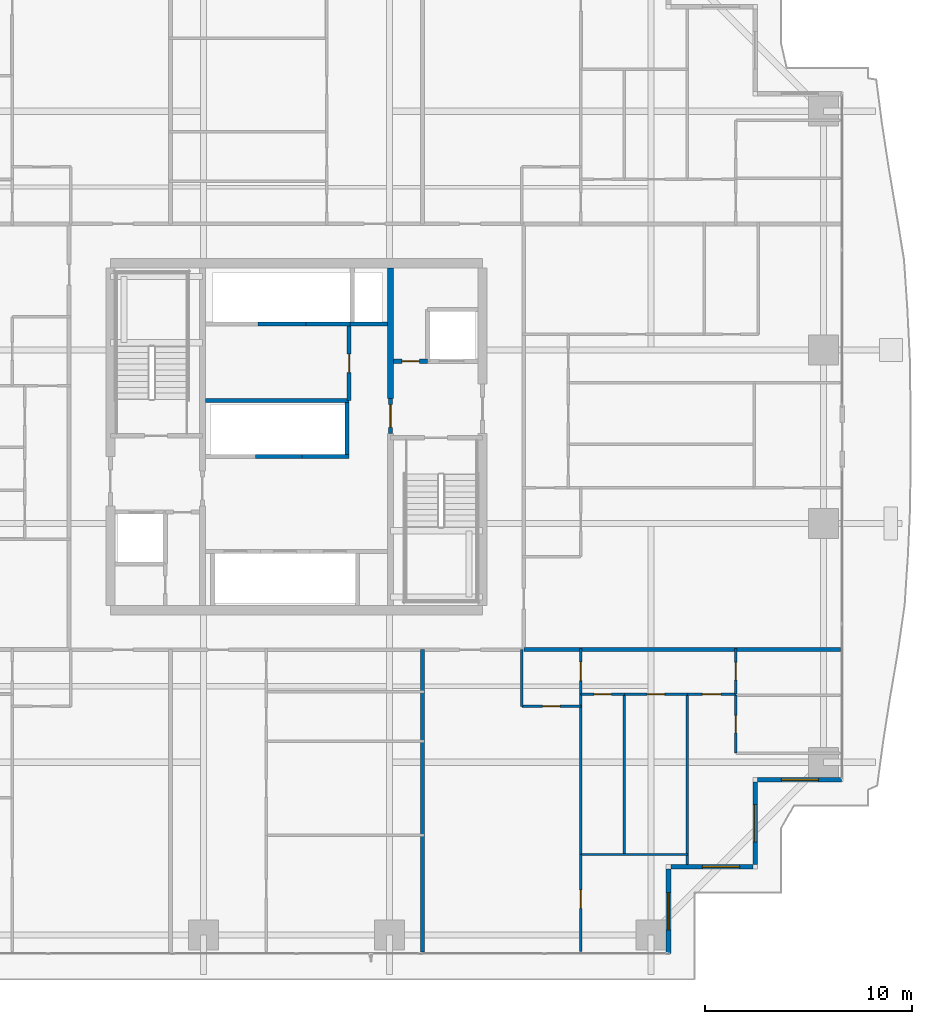
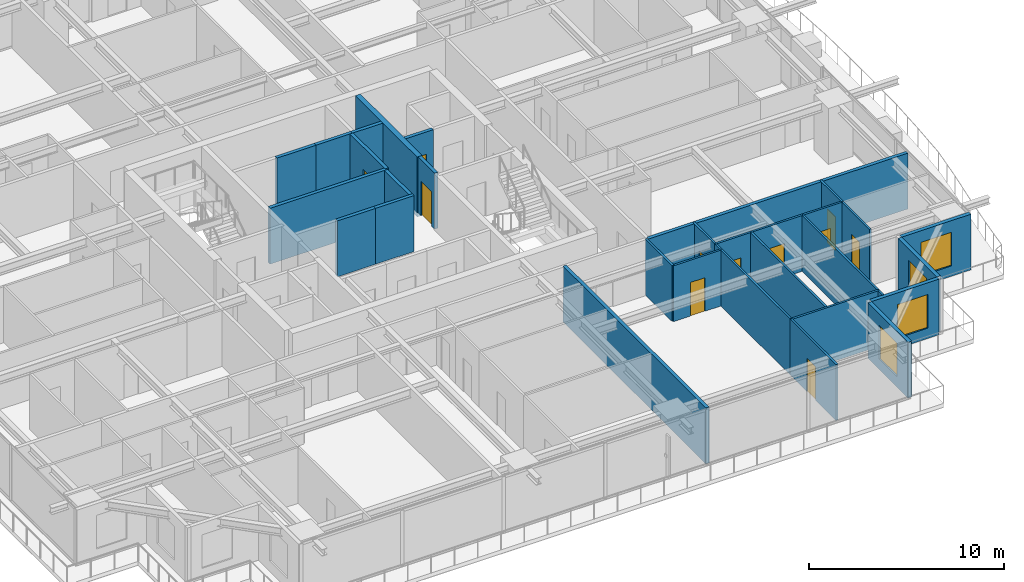
# One storey, part 28 of 38: 30 walls, 11 doors, 4 windows, 15 openings.
"""IFC4 building model written with IfcOpenShell, lengths in metres."""

from ifc_helpers import new_model, si_unit, direction, frame, frame_2d, origin, place, context, subcontext, project, spatial, rectangle, extrude, source, transform, mapped, material, layer, layer_set, type_object, element, fill, save


model = new_model("IFC4")

# Units and contexts
model_context = context("Model", 3, precision=1e-05, world=origin(), true_north=direction((0.0, 1.0)))
body_context = subcontext(model_context, "Body", "Model", "MODEL_VIEW")
ifc_project = project(units=[si_unit("LENGTHUNIT", "METRE"), si_unit("AREAUNIT", "SQUARE_METRE"), si_unit("VOLUMEUNIT", "CUBIC_METRE"), si_unit("PLANEANGLEUNIT", "RADIAN"), si_unit("MASSUNIT", "GRAM", prefix="KILO")], contexts=[model_context])

# Site, building, storey
site_placement = place(None, origin())
site = spatial("IfcSite", under=ifc_project, at=site_placement, CompositionType="ELEMENT")
building_placement = place(site_placement, origin())
building = spatial("IfcBuilding", under=site, at=building_placement, Name="Serunith Strait Residences", CompositionType="ELEMENT")
storey_placement = place(building_placement, frame((0.0, 0.0, 30.449951171875)))
storey = spatial("IfcBuildingStorey", under=building, at=storey_placement, Name="L06", CompositionType="ELEMENT", Elevation=30.449951171875)

# Wall, opening, window
ifc_material_1 = material(Name="Pale-Champagne Aluminium Insulated Panel", Category="aluminium")
ifc_layer_1 = layer(ifc_material_1, 0.219970703125, Name="Pale-Champagne Aluminium Insulated Panel")
ifc_layer_set_1 = layer_set([ifc_layer_1], Name="Pale-Champagne Aluminium Insulated Panel")
wall_type_1 = type_object("IfcWallType", Name="EW-ALUM-220", PredefinedType="ELEMENTEDWALL", material=ifc_layer_set_1)
wall_1_placement = place(storey_placement, frame((50.39990234375, 0.199951171875, 0.0), z_axis=(0.0, 0.0, 1.0), x_axis=(0.0, 1.0, 0.0)))
wall_1 = element("IfcWall", 1, at=wall_1_placement, inside=storey, type_object=wall_type_1, Name="L06 Girih Serrated Corner Wall 02", PredefinedType="ELEMENTEDWALL", context=body_context, shape_type="SweptSolid", body=[
    extrude(rectangle(XDim=4.090087890625, YDim=0.219970703125, at=frame_2d((2.044921875, 0.0))), origin(), (0.0, 0.0, 1.0), 3.47509765625),
])
opening_1_placement = place(wall_1_placement, frame((1.14501953125, 0.0, 0.64990234375)))
opening_1 = element("IfcOpeningElement", 2, at=opening_1_placement, cuts=wall_1, Name="Opening W-01", PredefinedType="OPENING", context=body_context, shape_type="SweptSolid", body=[
    extrude(rectangle(XDim=1.800048828125, YDim=2.10009765625, at=frame_2d((0.89990234375, 1.050048828125))), frame((0.0, 0.1201171875, 0.0), z_axis=(0.0, -1.0, 0.0), x_axis=(1.0, 0.0, 0.0)), (0.0, 0.0, 1.0), 0.239990234375),
])
ifc_material_2 = material(Name="Ceramic-Fritted Operable Aluminium Window Glass", Category="aluminium")
window_type = type_object("IfcWindowType", Name="WIN-C1", PartitioningType="DOUBLE_PANEL_VERTICAL", PredefinedType="WINDOW", material=ifc_material_2)
shared_shape_1 = source(origin(), body_context, "Body", "SweptSolid", [
    extrude(rectangle(XDim=1.800048828125, YDim=2.10009765625, at=frame_2d((0.89990234375, 1.050048828125))), frame((0.0, 0.030029296875, 0.0), z_axis=(0.0, -1.0, 0.0), x_axis=(1.0, 0.0, 0.0)), (0.0, 0.0, 1.0), 0.06005859375),
])
window_1_placement = place(opening_1_placement, origin())
window_1 = element("IfcWindow", 3, at=window_1_placement, inside=storey, type_object=window_type, Name="L06 Corner Operable Fritted Window 02", OverallHeight=2.10009765625, OverallWidth=1.800048828125, PartitioningType="SINGLE_PANEL", PredefinedType="WINDOW", context=body_context, shape_type="MappedRepresentation", body=[
    mapped(shared_shape_1, transform((0.0, 0.0, 0.0), scale=1.0)),
])
fill(opening_1, window_1)

wall_2_placement = place(storey_placement, frame((50.510009765625, 4.39990234375, 0.0), z_axis=(0.0, 0.0, 1.0), x_axis=(1.0, 0.0, 0.0)))
wall_2 = element("IfcWall", 4, at=wall_2_placement, inside=storey, type_object=wall_type_1, Name="L06 Girih Serrated Corner Wall 03", PredefinedType="ELEMENTEDWALL", context=body_context, shape_type="SweptSolid", body=[
    extrude(rectangle(XDim=3.97998046875, YDim=0.219970703125, at=frame_2d((1.989990234375, 0.0))), origin(), (0.0, 0.0, 1.0), 3.47509765625),
])
opening_2_placement = place(wall_2_placement, frame((1.52587890625, 0.0, 0.64990234375)))
opening_2 = element("IfcOpeningElement", 5, at=opening_2_placement, cuts=wall_2, Name="Opening W-01", PredefinedType="OPENING", context=body_context, shape_type="SweptSolid", body=[
    extrude(rectangle(XDim=1.800048828125, YDim=2.10009765625, at=frame_2d((0.89990234375, 1.050048828125))), frame((0.0, 0.1201171875, 0.0), z_axis=(0.0, -1.0, 0.0), x_axis=(1.0, 0.0, 0.0)), (0.0, 0.0, 1.0), 0.239990234375),
])
window_2_placement = place(opening_2_placement, origin())
window_2 = element("IfcWindow", 6, at=window_2_placement, inside=storey, type_object=window_type, Name="L06 Corner Operable Fritted Window 03", OverallHeight=2.10009765625, OverallWidth=1.800048828125, PartitioningType="SINGLE_PANEL", PredefinedType="WINDOW", context=body_context, shape_type="MappedRepresentation", body=[
    mapped(shared_shape_1, transform((0.0, 0.0, 0.0), scale=1.0)),
])
fill(opening_2, window_2)

wall_3_placement = place(storey_placement, frame((54.60009765625, 4.510009765625, 0.0), z_axis=(0.0, 0.0, 1.0), x_axis=(0.0, 1.0, 0.0)))
wall_3 = element("IfcWall", 7, at=wall_3_placement, inside=storey, type_object=wall_type_1, Name="L06 Girih Serrated Corner Wall 04", PredefinedType="ELEMENTEDWALL", context=body_context, shape_type="SweptSolid", body=[
    extrude(rectangle(XDim=3.97998046875, YDim=0.219970703125, at=frame_2d((1.989990234375, 0.0))), origin(), (0.0, 0.0, 1.0), 3.47509765625),
])
opening_3_placement = place(wall_3_placement, frame((1.090087890625, 0.0, 0.64990234375)))
opening_3 = element("IfcOpeningElement", 8, at=opening_3_placement, cuts=wall_3, Name="Opening W-01", PredefinedType="OPENING", context=body_context, shape_type="SweptSolid", body=[
    extrude(rectangle(XDim=1.800048828125, YDim=2.10009765625, at=frame_2d((0.89990234375, 1.050048828125))), frame((0.0, 0.1201171875, 0.0), z_axis=(0.0, -1.0, 0.0), x_axis=(1.0, 0.0, 0.0)), (0.0, 0.0, 1.0), 0.239990234375),
])
window_3_placement = place(opening_3_placement, origin())
window_3 = element("IfcWindow", 9, at=window_3_placement, inside=storey, type_object=window_type, Name="L06 Corner Operable Fritted Window 04", OverallHeight=2.10009765625, OverallWidth=1.800048828125, PartitioningType="SINGLE_PANEL", PredefinedType="WINDOW", context=body_context, shape_type="MappedRepresentation", body=[
    mapped(shared_shape_1, transform((0.0, 0.0, 0.0), scale=1.0)),
])
fill(opening_3, window_3)

wall_4_placement = place(storey_placement, frame((54.7099609375, 8.60009765625, 0.0), z_axis=(0.0, 0.0, 1.0), x_axis=(1.0, 0.0, 0.0)))
wall_4 = element("IfcWall", 10, at=wall_4_placement, inside=storey, type_object=wall_type_1, Name="L06 Girih Serrated Corner Wall 05", PredefinedType="ELEMENTEDWALL", context=body_context, shape_type="SweptSolid", body=[
    extrude(rectangle(XDim=4.090087890625, YDim=0.219970703125, at=frame_2d((2.044921875, 0.0))), origin(), (0.0, 0.0, 1.0), 3.47509765625),
])
opening_4_placement = place(wall_4_placement, frame((1.14501953125, 0.0, 0.64990234375)))
opening_4 = element("IfcOpeningElement", 11, at=opening_4_placement, cuts=wall_4, Name="Opening W-01", PredefinedType="OPENING", context=body_context, shape_type="SweptSolid", body=[
    extrude(rectangle(XDim=1.800048828125, YDim=2.10009765625, at=frame_2d((0.89990234375, 1.050048828125))), frame((0.0, 0.1201171875, 0.0), z_axis=(0.0, -1.0, 0.0), x_axis=(1.0, 0.0, 0.0)), (0.0, 0.0, 1.0), 0.239990234375),
])
window_4_placement = place(opening_4_placement, origin())
window_4 = element("IfcWindow", 12, at=window_4_placement, inside=storey, type_object=window_type, Name="L06 Corner Operable Fritted Window 05", OverallHeight=2.10009765625, OverallWidth=1.800048828125, PartitioningType="SINGLE_PANEL", PredefinedType="WINDOW", context=body_context, shape_type="MappedRepresentation", body=[
    mapped(shared_shape_1, transform((0.0, 0.0, 0.0), scale=1.0)),
])
fill(opening_4, window_4)

# Wall, opening, door
ifc_material_3 = material(Name="Lightweight steel-stud gypsum partition", Category="steel")
ifc_layer_2 = layer(ifc_material_3, 0.1201171875, Name="Lightweight steel-stud gypsum partition")
ifc_layer_set_2 = layer_set([ifc_layer_2], Name="Lightweight steel-stud gypsum partition")
wall_type_2 = type_object("IfcWallType", Name="IW-PART-120", PredefinedType="PARTITIONING", material=ifc_layer_set_2)
wall_5_placement = place(storey_placement, frame((43.31005859375, 12.14990234375, 0.0), z_axis=(0.0, 0.0, 1.0), x_axis=(1.0, 0.0, 0.0)))
wall_5 = element("IfcWall", 13, at=wall_5_placement, inside=storey, type_object=wall_type_2, Name="L06 Partition Wall 048", PredefinedType="PARTITIONING", context=body_context, shape_type="SweptSolid", body=[
    extrude(rectangle(XDim=2.849853515625, YDim=0.1201171875, at=frame_2d((1.4248046875, 0.0))), origin(), (0.0, 0.0, 1.0), 3.489990234375),
])
opening_5_placement = place(wall_5_placement, frame((1.0, 0.0, 0.0)))
opening_5 = element("IfcOpeningElement", 14, at=opening_5_placement, cuts=wall_5, Name="Opening D-RM850", PredefinedType="OPENING", context=body_context, shape_type="SweptSolid", body=[
    extrude(rectangle(XDim=0.85009765625, YDim=2.10009765625, at=frame_2d((0.425048828125, 1.050048828125))), frame((0.0, 0.070068359375, 0.0), z_axis=(0.0, -1.0, 0.0), x_axis=(1.0, 0.0, 0.0)), (0.0, 0.0, 1.0), 0.14013671875),
])
ifc_material_4 = material(Name="Engineered timber flush study and kitchen door", Category="wood")
door_type_1 = type_object("IfcDoorType", Name="ID-ROOM-850", OperationType="NOTDEFINED", PredefinedType="DOOR", material=ifc_material_4)
shared_shape_2 = source(origin(), body_context, "Body", "SweptSolid", [
    extrude(rectangle(XDim=0.85009765625, YDim=2.10009765625, at=frame_2d((0.425048828125, 1.050048828125))), frame((0.0, 0.02490234375, 0.0), z_axis=(0.0, -1.0, 0.0), x_axis=(1.0, 0.0, 0.0)), (0.0, 0.0, 1.0), 0.050048828125),
])
door_1_placement = place(opening_5_placement, origin())
door_1 = element("IfcDoor", 15, at=door_1_placement, inside=storey, type_object=door_type_1, Name="L06 Kitchen 0603 Door", OperationType="SINGLE_SWING_LEFT", OverallHeight=2.10009765625, OverallWidth=0.85009765625, PredefinedType="DOOR", context=body_context, shape_type="MappedRepresentation", body=[
    mapped(shared_shape_2, transform((0.0, 0.0, 0.0), scale=1.0)),
])
fill(opening_5, door_1)

# Wall
wall_6_placement = place(storey_placement, frame((43.31005859375, 12.14990234375, 0.0), z_axis=(0.0, 0.0, 1.0), x_axis=(0.0, 1.0, 0.0)))
element("IfcWall", 16, at=wall_6_placement, inside=storey, type_object=wall_type_2, Name="L06 Partition Wall 049", PredefinedType="PARTITIONING", context=body_context, shape_type="SweptSolid", body=[
    extrude(rectangle(XDim=2.748046875, YDim=0.1201171875, at=frame_2d((1.3740234375, 0.0))), origin(), (0.0, 0.0, 1.0), 3.489990234375),
])

# Wall, opening, door
wall_7_placement = place(storey_placement, frame((46.159912109375, 12.75, 0.0), z_axis=(0.0, 0.0, 1.0), x_axis=(0.0, 1.0, 0.0)))
wall_7 = element("IfcWall", 17, at=wall_7_placement, inside=storey, type_object=wall_type_2, Name="L06 Partition Wall 050", PredefinedType="PARTITIONING", context=body_context, shape_type="SweptSolid", body=[
    extrude(rectangle(XDim=2.2099609375, YDim=0.1201171875, at=frame_2d((1.10498046875, 0.0))), origin(), (0.0, 0.0, 1.0), 3.489990234375),
])
opening_6_placement = place(wall_7_placement, frame((0.655029296875, 0.0, 0.0)))
opening_6 = element("IfcOpeningElement", 18, at=opening_6_placement, cuts=wall_7, Name="Opening D-RM900", PredefinedType="OPENING", context=body_context, shape_type="SweptSolid", body=[
    extrude(rectangle(XDim=0.89990234375, YDim=2.10009765625, at=frame_2d((0.449951171875, 1.050048828125))), frame((0.0, 0.070068359375, 0.0), z_axis=(0.0, -1.0, 0.0), x_axis=(1.0, 0.0, 0.0)), (0.0, 0.0, 1.0), 0.14013671875),
])
ifc_material_5 = material(Name="Engineered timber flush bedroom door", Category="wood")
door_type_2 = type_object("IfcDoorType", Name="ID-ROOM-900", OperationType="NOTDEFINED", PredefinedType="DOOR", material=ifc_material_5)
shared_shape_3 = source(origin(), body_context, "Body", "SweptSolid", [
    extrude(rectangle(XDim=0.89990234375, YDim=2.10009765625, at=frame_2d((0.449951171875, 1.050048828125))), frame((0.0, 0.02490234375, 0.0), z_axis=(0.0, -1.0, 0.0), x_axis=(1.0, 0.0, 0.0)), (0.0, 0.0, 1.0), 0.050048828125),
])
door_2_placement = place(opening_6_placement, origin())
door_2 = element("IfcDoor", 19, at=door_2_placement, inside=storey, type_object=door_type_2, Name="L06 Hall E 0603 Door", OperationType="SINGLE_SWING_RIGHT", OverallHeight=2.10009765625, OverallWidth=0.89990234375, PredefinedType="DOOR", context=body_context, shape_type="MappedRepresentation", body=[
    mapped(shared_shape_3, transform((0.0, 0.0, 0.0), scale=1.0)),
])
fill(opening_6, door_2)

wall_8_placement = place(storey_placement, frame((46.159912109375, 0.294921875, 0.0), z_axis=(0.0, 0.0, 1.0), x_axis=(0.0, 1.0, 0.0)))
wall_8 = element("IfcWall", 20, at=wall_8_placement, inside=storey, type_object=wall_type_2, Name="L06 Partition Wall 051", PredefinedType="PARTITIONING", context=body_context, shape_type="SweptSolid", body=[
    extrude(rectangle(XDim=4.693115234375, YDim=0.1201171875, at=frame_2d((2.3466796875, 0.0))), origin(), (0.0, 0.0, 1.0), 3.489990234375),
])
opening_7_placement = place(wall_8_placement, frame((2.0859375, 0.0, 0.0)))
opening_7 = element("IfcOpeningElement", 21, at=opening_7_placement, cuts=wall_8, Name="Opening D-RM900", PredefinedType="OPENING", context=body_context, shape_type="SweptSolid", body=[
    extrude(rectangle(XDim=0.89990234375, YDim=2.10009765625, at=frame_2d((0.449951171875, 1.050048828125))), frame((0.0, 0.070068359375, 0.0), z_axis=(0.0, -1.0, 0.0), x_axis=(1.0, 0.0, 0.0)), (0.0, 0.0, 1.0), 0.14013671875),
])
door_3_placement = place(opening_7_placement, origin())
door_3 = element("IfcDoor", 22, at=door_3_placement, inside=storey, type_object=door_type_2, Name="L06 Study 1 0603 Door", OperationType="SINGLE_SWING_LEFT", OverallHeight=2.10009765625, OverallWidth=0.89990234375, PredefinedType="DOOR", context=body_context, shape_type="MappedRepresentation", body=[
    mapped(shared_shape_3, transform((0.0, 0.0, 0.0), scale=1.0)),
])
fill(opening_7, door_3)

# Walls
wall_9_placement = place(storey_placement, frame((46.159912109375, 4.989990234375, 0.0), z_axis=(0.0, 0.0, 1.0), x_axis=(0.0, 1.0, 0.0)))
element("IfcWall", 23, at=wall_9_placement, inside=storey, type_object=wall_type_2, Name="L06 Partition Wall 052", PredefinedType="PARTITIONING", context=body_context, shape_type="SweptSolid", body=[
    extrude(rectangle(XDim=7.758056640625, YDim=0.1201171875, at=frame_2d((3.87890625, 0.0))), origin(), (0.0, 0.0, 1.0), 3.489990234375),
])
wall_10_placement = place(storey_placement, frame((46.159912109375, 4.988037109375, 0.0), z_axis=(0.0, 0.0, 1.0), x_axis=(1.0, 0.0, 0.0)))
element("IfcWall", 24, at=wall_10_placement, inside=storey, type_object=wall_type_2, Name="L06 Partition Wall 053", PredefinedType="PARTITIONING", context=body_context, shape_type="SweptSolid", body=[
    extrude(rectangle(XDim=5.150146484375, YDim=0.1201171875, at=frame_2d((2.5751953125, 0.0))), origin(), (0.0, 0.0, 1.0), 3.489990234375),
])
wall_11_placement = place(storey_placement, frame((51.31005859375, 4.4951171875, 0.0), z_axis=(0.0, 0.0, 1.0), x_axis=(0.0, 1.0, 0.0)))
element("IfcWall", 25, at=wall_11_placement, inside=storey, type_object=wall_type_2, Name="L06 Partition Wall 054", PredefinedType="PARTITIONING", context=body_context, shape_type="SweptSolid", body=[
    extrude(rectangle(XDim=8.2548828125, YDim=0.1201171875, at=frame_2d((4.12744140625, 0.0))), origin(), (0.0, 0.0, 1.0), 3.489990234375),
])
wall_12_placement = place(storey_placement, frame((48.260009765625, 4.988037109375, 0.0), z_axis=(0.0, 0.0, 1.0), x_axis=(0.0, 1.0, 0.0)))
element("IfcWall", 26, at=wall_12_placement, inside=storey, type_object=wall_type_2, Name="L06 Partition Wall 055", PredefinedType="PARTITIONING", context=body_context, shape_type="SweptSolid", body=[
    extrude(rectangle(XDim=7.761962890625, YDim=0.1201171875, at=frame_2d((3.880859375, 0.0))), origin(), (0.0, 0.0, 1.0), 3.489990234375),
])

# Wall, opening, door
wall_13_placement = place(storey_placement, frame((46.159912109375, 12.75, 0.0), z_axis=(0.0, 0.0, 1.0), x_axis=(1.0, 0.0, 0.0)))
wall_13 = element("IfcWall", 27, at=wall_13_placement, inside=storey, type_object=wall_type_2, Name="L06 Partition Wall 056", PredefinedType="PARTITIONING", context=body_context, shape_type="SweptSolid", body=[
    extrude(rectangle(XDim=2.10009765625, YDim=0.1201171875, at=frame_2d((1.050048828125, 0.0))), origin(), (0.0, 0.0, 1.0), 3.489990234375),
])
opening_8_placement = place(wall_13_placement, frame((0.625, 0.0, 0.0)))
opening_8 = element("IfcOpeningElement", 28, at=opening_8_placement, cuts=wall_13, Name="Opening D-BTH850", PredefinedType="OPENING", context=body_context, shape_type="SweptSolid", body=[
    extrude(rectangle(XDim=0.85009765625, YDim=2.10009765625, at=frame_2d((0.425048828125, 1.050048828125))), frame((0.0, 0.070068359375, 0.0), z_axis=(0.0, -1.0, 0.0), x_axis=(1.0, 0.0, 0.0)), (0.0, 0.0, 1.0), 0.14013671875),
])
ifc_material_6 = material(Name="Moisture-resistant timber bathroom door", Category="wood")
door_type_3 = type_object("IfcDoorType", Name="ID-BATH-850", OperationType="NOTDEFINED", PredefinedType="DOOR", material=ifc_material_6)
door_4_placement = place(opening_8_placement, origin())
door_4 = element("IfcDoor", 29, at=door_4_placement, inside=storey, type_object=door_type_3, Name="L06 Bathroom 0603 Door", OperationType="SINGLE_SWING_RIGHT", OverallHeight=2.10009765625, OverallWidth=0.85009765625, PredefinedType="DOOR", context=body_context, shape_type="MappedRepresentation", body=[
    mapped(shared_shape_2, transform((0.0, 0.0, 0.0), scale=1.0)),
])
fill(opening_8, door_4)

wall_14_placement = place(storey_placement, frame((48.261962890625, 12.75, 0.0), z_axis=(0.0, 0.0, 1.0), x_axis=(1.0, 0.0, 0.0)))
wall_14 = element("IfcWall", 30, at=wall_14_placement, inside=storey, type_object=wall_type_2, Name="L06 Partition Wall 057", PredefinedType="PARTITIONING", context=body_context, shape_type="SweptSolid", body=[
    extrude(rectangle(XDim=3.048095703125, YDim=0.1201171875, at=frame_2d((1.52392578125, 0.0))), origin(), (0.0, 0.0, 1.0), 3.489990234375),
])
opening_9_placement = place(wall_14_placement, frame((1.09912109375, 0.0, 0.0)))
opening_9 = element("IfcOpeningElement", 31, at=opening_9_placement, cuts=wall_14, Name="Opening D-RM850", PredefinedType="OPENING", context=body_context, shape_type="SweptSolid", body=[
    extrude(rectangle(XDim=0.85009765625, YDim=2.10009765625, at=frame_2d((0.425048828125, 1.050048828125))), frame((0.0, 0.070068359375, 0.0), z_axis=(0.0, -1.0, 0.0), x_axis=(1.0, 0.0, 0.0)), (0.0, 0.0, 1.0), 0.14013671875),
])
door_5_placement = place(opening_9_placement, origin())
door_5 = element("IfcDoor", 32, at=door_5_placement, inside=storey, type_object=door_type_1, Name="L06 Study 0603 Door", OperationType="SINGLE_SWING_LEFT", OverallHeight=2.10009765625, OverallWidth=0.85009765625, PredefinedType="DOOR", context=body_context, shape_type="MappedRepresentation", body=[
    mapped(shared_shape_2, transform((0.0, 0.0, 0.0), scale=1.0)),
])
fill(opening_9, door_5)

wall_15_placement = place(storey_placement, frame((51.31201171875, 12.75, 0.0), z_axis=(0.0, 0.0, 1.0), x_axis=(1.0, 0.0, 0.0)))
wall_15 = element("IfcWall", 33, at=wall_15_placement, inside=storey, type_object=wall_type_2, Name="L06 Partition Wall 058", PredefinedType="PARTITIONING", context=body_context, shape_type="SweptSolid", body=[
    extrude(rectangle(XDim=2.347900390625, YDim=0.1201171875, at=frame_2d((1.173828125, 0.0))), origin(), (0.0, 0.0, 1.0), 3.489990234375),
])
opening_10_placement = place(wall_15_placement, frame((0.72412109375, 0.0, 0.0)))
opening_10 = element("IfcOpeningElement", 34, at=opening_10_placement, cuts=wall_15, Name="Opening D-RM900", PredefinedType="OPENING", context=body_context, shape_type="SweptSolid", body=[
    extrude(rectangle(XDim=0.89990234375, YDim=2.10009765625, at=frame_2d((0.449951171875, 1.050048828125))), frame((0.0, 0.070068359375, 0.0), z_axis=(0.0, -1.0, 0.0), x_axis=(1.0, 0.0, 0.0)), (0.0, 0.0, 1.0), 0.14013671875),
])
door_6_placement = place(opening_10_placement, origin())
door_6 = element("IfcDoor", 35, at=door_6_placement, inside=storey, type_object=door_type_2, Name="L06 Master Bedroom E 0603 Door", OperationType="SINGLE_SWING_RIGHT", OverallHeight=2.10009765625, OverallWidth=0.89990234375, PredefinedType="DOOR", context=body_context, shape_type="MappedRepresentation", body=[
    mapped(shared_shape_3, transform((0.0, 0.0, 0.0), scale=1.0)),
])
fill(opening_10, door_6)

wall_16_placement = place(storey_placement, frame((53.659912109375, 9.89404296875, 0.0), z_axis=(0.0, 0.0, 1.0), x_axis=(0.0, 1.0, 0.0)))
wall_16 = element("IfcWall", 36, at=wall_16_placement, inside=storey, type_object=wall_type_2, Name="L06 Partition Wall 061", PredefinedType="PARTITIONING", context=body_context, shape_type="SweptSolid", body=[
    extrude(rectangle(XDim=2.807861328125, YDim=0.1201171875, at=frame_2d((1.40380859375, 0.0))), origin(), (0.0, 0.0, 1.0), 3.489990234375),
])
opening_11_placement = place(wall_16_placement, frame((0.97900390625, 0.0, 0.0)))
opening_11 = element("IfcOpeningElement", 37, at=opening_11_placement, cuts=wall_16, Name="Opening D-BTH850", PredefinedType="OPENING", context=body_context, shape_type="SweptSolid", body=[
    extrude(rectangle(XDim=0.85009765625, YDim=2.10009765625, at=frame_2d((0.425048828125, 1.050048828125))), frame((0.0, 0.070068359375, 0.0), z_axis=(0.0, -1.0, 0.0), x_axis=(1.0, 0.0, 0.0)), (0.0, 0.0, 1.0), 0.14013671875),
])
door_7_placement = place(opening_11_placement, origin())
door_7 = element("IfcDoor", 38, at=door_7_placement, inside=storey, type_object=door_type_3, Name="L06 En-suite Bathroom E 0603 Door", OperationType="SINGLE_SWING_LEFT", OverallHeight=2.10009765625, OverallWidth=0.85009765625, PredefinedType="DOOR", context=body_context, shape_type="MappedRepresentation", body=[
    mapped(shared_shape_2, transform((0.0, 0.0, 0.0), scale=1.0)),
])
fill(opening_11, door_7)

wall_17_placement = place(storey_placement, frame((53.659912109375, 12.75, 0.0), z_axis=(0.0, 0.0, 1.0), x_axis=(0.0, 1.0, 0.0)))
wall_17 = element("IfcWall", 39, at=wall_17_placement, inside=storey, type_object=wall_type_2, Name="L06 Partition Wall 062", PredefinedType="PARTITIONING", context=body_context, shape_type="SweptSolid", body=[
    extrude(rectangle(XDim=2.2099609375, YDim=0.1201171875, at=frame_2d((1.10498046875, 0.0))), origin(), (0.0, 0.0, 1.0), 3.489990234375),
])
opening_12_placement = place(wall_17_placement, frame((0.679931640625, 0.0, 0.0)))
opening_12 = element("IfcOpeningElement", 40, at=opening_12_placement, cuts=wall_17, Name="Opening D-RM850", PredefinedType="OPENING", context=body_context, shape_type="SweptSolid", body=[
    extrude(rectangle(XDim=0.85009765625, YDim=2.10009765625, at=frame_2d((0.425048828125, 1.050048828125))), frame((0.0, 0.070068359375, 0.0), z_axis=(0.0, -1.0, 0.0), x_axis=(1.0, 0.0, 0.0)), (0.0, 0.0, 1.0), 0.14013671875),
])
door_8_placement = place(opening_12_placement, origin())
door_8 = element("IfcDoor", 41, at=door_8_placement, inside=storey, type_object=door_type_1, Name="L06 Wardrobe E 0603 Door", OperationType="SINGLE_SWING_RIGHT", OverallHeight=2.10009765625, OverallWidth=0.85009765625, PredefinedType="DOOR", context=body_context, shape_type="MappedRepresentation", body=[
    mapped(shared_shape_2, transform((0.0, 0.0, 0.0), scale=1.0)),
])
fill(opening_12, door_8)

# Walls
ifc_material_7 = material(Name="Twin-stud acoustic gypsum board partition")
ifc_layer_3 = layer(ifc_material_7, 0.199951171875, Name="Twin-stud acoustic gypsum board partition")
ifc_layer_set_3 = layer_set([ifc_layer_3], Name="Twin-stud acoustic gypsum board partition")
wall_type_3 = type_object("IfcWallType", Name="IW-PARTY-200", PredefinedType="PARTITIONING", material=ifc_layer_set_3)
wall_18_placement = place(storey_placement, frame((38.5, 0.281982421875, 0.0), z_axis=(0.0, 0.0, 1.0), x_axis=(0.0, 1.0, 0.0)))
element("IfcWall", 42, at=wall_18_placement, inside=storey, type_object=wall_type_3, Name="L06 Partition Wall 015", PredefinedType="PARTITIONING", context=body_context, shape_type="SweptSolid", body=[
    extrude(rectangle(XDim=14.617919921875, YDim=0.199951171875, at=frame_2d((7.30908203125, 0.0))), origin(), (0.0, 0.0, 1.0), 3.489990234375),
])
wall_19_placement = place(storey_placement, frame((43.39990234375, 14.89990234375, 0.0), z_axis=(0.0, 0.0, 1.0), x_axis=(1.0, 0.0, 0.0)))
element("IfcWall", 43, at=wall_19_placement, inside=storey, type_object=wall_type_3, Name="L06 Partition Wall 019", PredefinedType="PARTITIONING", context=body_context, shape_type="SweptSolid", body=[
    extrude(rectangle(XDim=15.318115234375, YDim=0.199951171875, at=frame_2d((7.6591796875, 0.0))), origin(), (0.0, 0.0, 1.0), 3.489990234375),
])
ifc_material_8 = material(Name="Autoclaved aerated concrete blockwork", Category="masonry")
ifc_layer_4 = layer(ifc_material_8, 0.199951171875, Name="Autoclaved aerated concrete blockwork")
ifc_layer_set_4 = layer_set([ifc_layer_4], Name="Autoclaved aerated concrete blockwork")
wall_type_4 = type_object("IfcWallType", Name="IW-SHAFT-200", PredefinedType="STANDARD", material=ifc_layer_set_4)
wall_20_placement = place(storey_placement, frame((30.425048828125, 24.25, 0.0), z_axis=(0.0, 0.0, 1.0), x_axis=(1.0, 0.0, 0.0)))
element("IfcWall", 44, at=wall_20_placement, inside=storey, type_object=wall_type_4, Name="L06 PL-5 South Shaft Wall", PredefinedType="STANDARD", context=body_context, shape_type="SweptSolid", body=[
    extrude(rectangle(XDim=2.25, YDim=0.199951171875, at=frame_2d((1.125, 0.0))), origin(), (0.0, 0.0, 1.0), 3.489990234375),
])
wall_21_placement = place(storey_placement, frame((32.675048828125, 24.25, 0.0), z_axis=(0.0, 0.0, 1.0), x_axis=(1.0, 0.0, 0.0)))
element("IfcWall", 45, at=wall_21_placement, inside=storey, type_object=wall_type_4, Name="L06 PL-6 South Shaft Wall", PredefinedType="STANDARD", context=body_context, shape_type="SweptSolid", body=[
    extrude(rectangle(XDim=2.27490234375, YDim=0.199951171875, at=frame_2d((1.137451171875, 0.0))), origin(), (0.0, 0.0, 1.0), 3.489990234375),
])
wall_22_placement = place(storey_placement, frame((34.85009765625, 24.35009765625, 0.0), z_axis=(0.0, 0.0, 1.0), x_axis=(0.0, 1.0, 0.0)))
element("IfcWall", 46, at=wall_22_placement, inside=storey, type_object=wall_type_4, Name="L06 PL-6 East Shaft Wall", PredefinedType="STANDARD", context=body_context, shape_type="SweptSolid", body=[
    extrude(rectangle(XDim=2.5, YDim=0.199951171875, at=frame_2d((1.25, 0.0))), origin(), (0.0, 0.0, 1.0), 3.489990234375),
])
wall_23_placement = place(storey_placement, frame((30.550048828125, 30.64990234375, 0.0), z_axis=(0.0, 0.0, 1.0), x_axis=(1.0, 0.0, 0.0)))
element("IfcWall", 47, at=wall_23_placement, inside=storey, type_object=wall_type_4, Name="L06 PL-8 South Shaft Wall", PredefinedType="STANDARD", context=body_context, shape_type="SweptSolid", body=[
    extrude(rectangle(XDim=2.300048828125, YDim=0.199951171875, at=frame_2d((1.14990234375, 0.0))), origin(), (0.0, 0.0, 1.0), 3.489990234375),
])
wall_24_placement = place(storey_placement, frame((32.85009765625, 30.64990234375, 0.0), z_axis=(0.0, 0.0, 1.0), x_axis=(1.0, 0.0, 0.0)))
element("IfcWall", 48, at=wall_24_placement, inside=storey, type_object=wall_type_4, Name="L06 PL-9 South Shaft Wall", PredefinedType="STANDARD", context=body_context, shape_type="SweptSolid", body=[
    extrude(rectangle(XDim=2.14990234375, YDim=0.199951171875, at=frame_2d((1.074951171875, 0.0))), origin(), (0.0, 0.0, 1.0), 3.489990234375),
])
wall_25_placement = place(storey_placement, frame((35.0, 30.64990234375, 0.0), z_axis=(0.0, 0.0, 1.0), x_axis=(1.0, 0.0, 0.0)))
element("IfcWall", 49, at=wall_25_placement, inside=storey, type_object=wall_type_4, Name="L06 SL-1 South Shaft Wall", PredefinedType="STANDARD", context=body_context, shape_type="SweptSolid", body=[
    extrude(rectangle(XDim=1.800048828125, YDim=0.199951171875, at=frame_2d((0.89990234375, 0.0))), origin(), (0.0, 0.0, 1.0), 3.489990234375),
])

# Wall, opening, door
wall_26_placement = place(storey_placement, frame((37.10009765625, 28.85009765625, 0.0), z_axis=(0.0, 0.0, 1.0), x_axis=(1.0, 0.0, 0.0)))
wall_26 = element("IfcWall", 50, at=wall_26_placement, inside=storey, type_object=wall_type_4, Name="L06 Partition Wall 006", PredefinedType="STANDARD", context=body_context, shape_type="SweptSolid", body=[
    extrude(rectangle(XDim=1.64794921875, YDim=0.199951171875, at=frame_2d((0.823974609375, 0.0))), origin(), (0.0, 0.0, 1.0), 3.489990234375),
])
opening_13_placement = place(wall_26_placement, frame((0.39892578125, 0.0, 0.0)))
opening_13 = element("IfcOpeningElement", 51, at=opening_13_placement, cuts=wall_26, Name="Opening FD-850", PredefinedType="OPENING", context=body_context, shape_type="SweptSolid", body=[
    extrude(rectangle(XDim=0.85009765625, YDim=2.10009765625, at=frame_2d((0.425048828125, 1.050048828125))), frame((0.0, 0.10986328125, 0.0), z_axis=(0.0, -1.0, 0.0), x_axis=(1.0, 0.0, 0.0)), (0.0, 0.0, 1.0), 0.219970703125),
])
ifc_material_9 = material(Name="Powder-coated steel service closet door", Category="steel")
door_type_4 = type_object("IfcDoorType", Name="FD-BOH-850", OperationType="NOTDEFINED", PredefinedType="DOOR", material=ifc_material_9)
door_9_placement = place(opening_13_placement, origin())
door_9 = element("IfcDoor", 52, at=door_9_placement, inside=storey, type_object=door_type_4, Name="L06 North-East Core Service Door", OperationType="SINGLE_SWING_RIGHT", OverallHeight=2.10009765625, OverallWidth=0.85009765625, PredefinedType="DOOR", context=body_context, shape_type="MappedRepresentation", body=[
    mapped(shared_shape_2, transform((0.0, 0.0, 0.0), scale=1.0)),
])
fill(opening_13, door_9)

wall_27_placement = place(storey_placement, frame((36.949951171875, 25.35205078125, 0.0), z_axis=(0.0, 0.0, 1.0), x_axis=(0.0, 1.0, 0.0)))
wall_27 = element("IfcWall", 53, at=wall_27_placement, inside=storey, type_object=wall_type_4, Name="L06 Partition Wall 010", PredefinedType="STANDARD", context=body_context, shape_type="SweptSolid", body=[
    extrude(rectangle(XDim=1.696044921875, YDim=0.199951171875, at=frame_2d((0.84814453125, 0.0))), origin(), (0.0, 0.0, 1.0), 3.489990234375),
])
opening_14_placement = place(wall_27_placement, frame((0.298095703125, 0.0, 0.0)))
opening_14 = element("IfcOpeningElement", 54, at=opening_14_placement, cuts=wall_27, Name="Opening FD-FFL", PredefinedType="OPENING", context=body_context, shape_type="SweptSolid", body=[
    extrude(rectangle(XDim=1.10009765625, YDim=2.14990234375, at=frame_2d((0.550048828125, 1.074951171875))), frame((0.0, 0.10986328125, 0.0), z_axis=(0.0, -1.0, 0.0), x_axis=(1.0, 0.0, 0.0)), (0.0, 0.0, 1.0), 0.219970703125),
])
ifc_material_10 = material(Name="Glazed steel smoke-lobby fire door", Category="steel")
door_type_5 = type_object("IfcDoorType", Name="FD-FFL-1100", OperationType="NOTDEFINED", PredefinedType="DOOR", material=ifc_material_10)
shared_shape_4 = source(origin(), body_context, "Body", "SweptSolid", [
    extrude(rectangle(XDim=1.10009765625, YDim=2.14990234375, at=frame_2d((0.550048828125, 1.074951171875))), frame((0.0, 0.02490234375, 0.0), z_axis=(0.0, -1.0, 0.0), x_axis=(1.0, 0.0, 0.0)), (0.0, 0.0, 1.0), 0.050048828125),
])
door_10_placement = place(opening_14_placement, origin())
door_10 = element("IfcDoor", 55, at=door_10_placement, inside=storey, type_object=door_type_5, Name="L06 FFL-2 Lift Lobby Door", OperationType="SINGLE_SWING_RIGHT", OverallHeight=2.14990234375, OverallWidth=1.10009765625, PredefinedType="DOOR", context=body_context, shape_type="MappedRepresentation", body=[
    mapped(shared_shape_4, transform((0.0, 0.0, 0.0), scale=1.0)),
])
fill(opening_14, door_10)

# Wall
wall_28_placement = place(storey_placement, frame((28.0, 26.949951171875, 0.0), z_axis=(0.0, 0.0, 1.0), x_axis=(1.0, 0.0, 0.0)))
element("IfcWall", 56, at=wall_28_placement, inside=storey, type_object=wall_type_4, Name="L06 Partition Wall 011", PredefinedType="STANDARD", context=body_context, shape_type="SweptSolid", body=[
    extrude(rectangle(XDim=6.949951171875, YDim=0.199951171875, at=frame_2d((3.47509765625, 0.0))), origin(), (0.0, 0.0, 1.0), 3.489990234375),
])

# Wall, opening, door
wall_29_placement = place(storey_placement, frame((34.949951171875, 26.949951171875, 0.0), z_axis=(0.0, 0.0, 1.0), x_axis=(0.0, 1.0, 0.0)))
wall_29 = element("IfcWall", 57, at=wall_29_placement, inside=storey, type_object=wall_type_4, Name="L06 Partition Wall 013", PredefinedType="STANDARD", context=body_context, shape_type="SweptSolid", body=[
    extrude(rectangle(XDim=3.60009765625, YDim=0.199951171875, at=frame_2d((1.800048828125, 0.0))), origin(), (0.0, 0.0, 1.0), 3.489990234375),
])
opening_15_placement = place(wall_29_placement, frame((1.35009765625, 0.0, 0.0)))
opening_15 = element("IfcOpeningElement", 58, at=opening_15_placement, cuts=wall_29, Name="Opening FD-900", PredefinedType="OPENING", context=body_context, shape_type="SweptSolid", body=[
    extrude(rectangle(XDim=0.89990234375, YDim=2.10009765625, at=frame_2d((0.449951171875, 1.050048828125))), frame((0.0, 0.10986328125, 0.0), z_axis=(0.0, -1.0, 0.0), x_axis=(1.0, 0.0, 0.0)), (0.0, 0.0, 1.0), 0.219970703125),
])
ifc_material_11 = material(Name="Powder-coated steel riser door", Category="steel")
door_type_6 = type_object("IfcDoorType", Name="FD-BOH-900", OperationType="NOTDEFINED", PredefinedType="DOOR", material=ifc_material_11)
door_11_placement = place(opening_15_placement, origin())
door_11 = element("IfcDoor", 59, at=door_11_placement, inside=storey, type_object=door_type_6, Name="L06 Core Switchroom Door", OperationType="SINGLE_SWING_RIGHT", OverallHeight=2.10009765625, OverallWidth=0.89990234375, PredefinedType="DOOR", context=body_context, shape_type="MappedRepresentation", body=[
    mapped(shared_shape_3, transform((0.0, 0.0, 0.0), scale=1.0)),
])
fill(opening_15, door_11)

# Wall
ifc_material_12 = material(Name="Concrete C80/95", Category="concrete")
ifc_layer_5 = layer(ifc_material_12, 0.300048828125, Name="Concrete C80/95")
ifc_layer_set_5 = layer_set([ifc_layer_5], Name="Concrete C80/95")
wall_type_5 = type_object("IfcWallType", Name="SW-300-C80", PredefinedType="SHEAR", material=ifc_layer_set_5)
wall_30_placement = place(storey_placement, frame((36.949951171875, 27.050048828125, -0.260009765625), z_axis=(0.0, 0.0, 1.0), x_axis=(0.0, 1.0, 0.0)))
element("IfcWall", 60, at=wall_30_placement, inside=storey, type_object=wall_type_5, Name="L06 Core Internal East Web North Pier", PredefinedType="SHEAR", context=body_context, shape_type="SweptSolid", body=[
    extrude(rectangle(XDim=6.324951171875, YDim=0.300048828125, at=frame_2d((3.16259765625, 0.0))), origin(), (0.0, 0.0, 1.0), 3.748046875),
])

save(model, "model.ifc")
